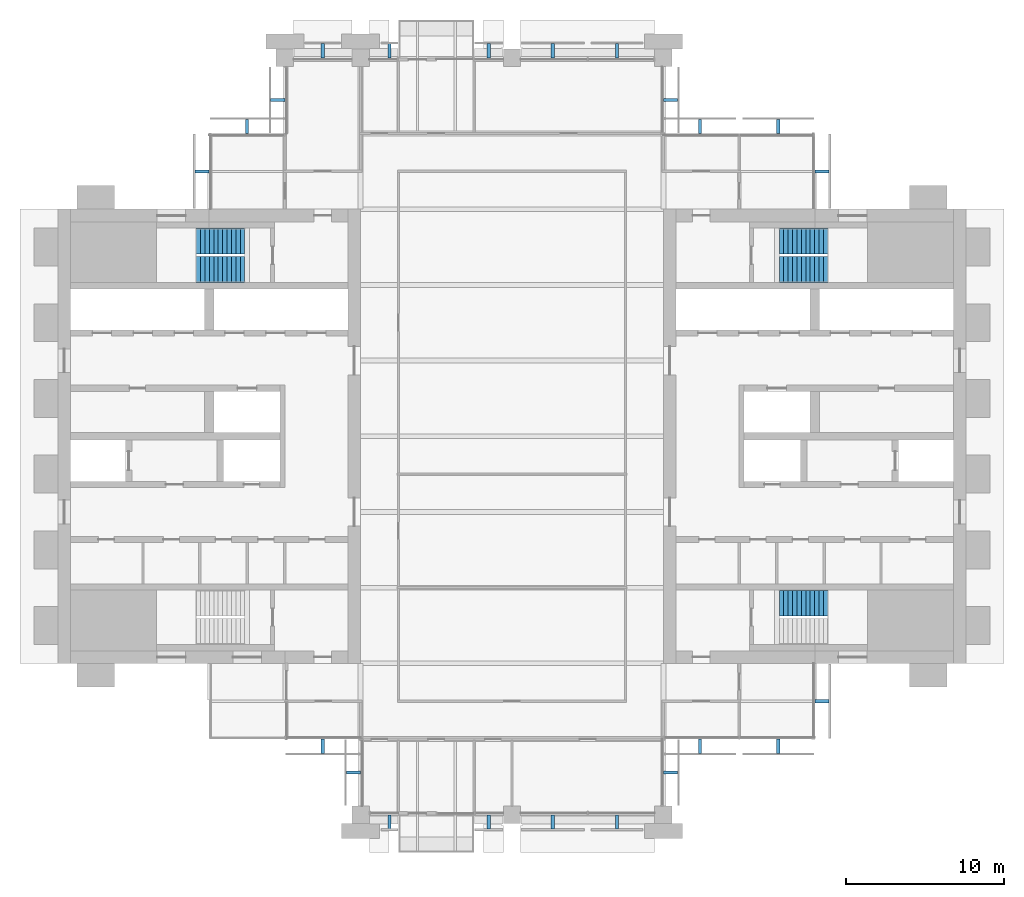
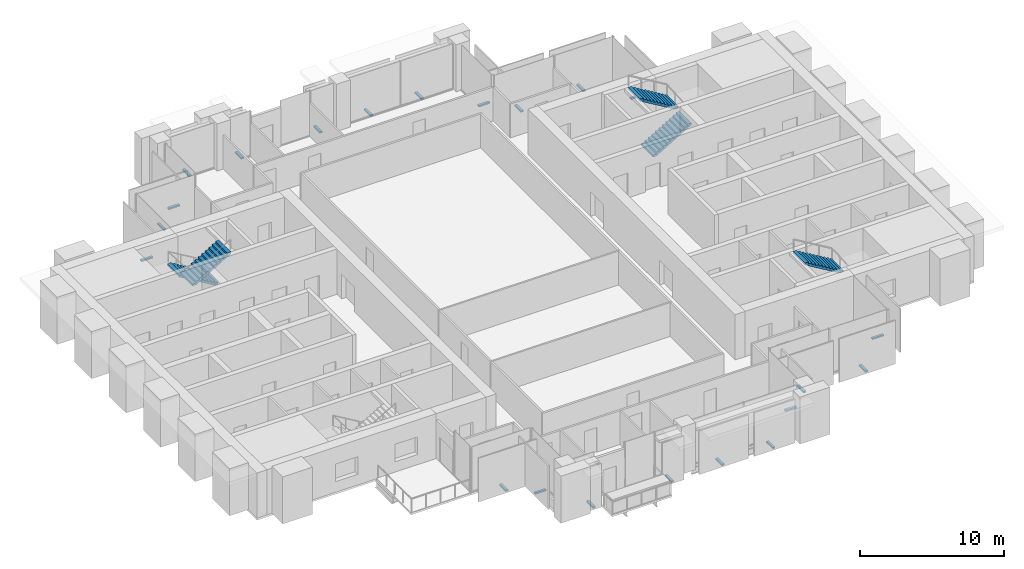
# One storey, part 12 of 14: 22 discrete accessories, 5 stair flights, 3 elements without a shape of their own.
"""IFC4 building model written with IfcOpenShell, lengths in metres."""

import ifcopenshell
import ifcopenshell.guid

model = None  # the IFC model being written
_history = None  # IfcOwnerHistory: only IFC2X3 demands one
_inside = {}  # id of a spatial element -> (the spatial element, [elements in it])
_under = {}  # id of a project, library or spatial element -> (it, [spatial elements below it])
_declared = {}  # id of a project -> (the project, [libraries it declares])
_typed = {}  # id of a type object -> (the type object, [elements of that type])
_made_of = {}  # id of a material, layer set ... -> (it, [elements and type objects made of it])


def new_model(schema):
    """Start an empty IFC model of exactly this schema.

    Asked for "IFC4X3", IfcOpenShell would pick the latest addendum, in which some entities
    have other attributes; the version numbers below select the first issue.
    IFC2X3 requires an IfcOwnerHistory on every rooted entity: one is made here for all.
    """
    global model, _history
    if schema == "IFC4X3":
        model = ifcopenshell.file(schema_version=(4, 3, 0, 0))
    else:
        model = ifcopenshell.file(schema=schema)
    _inside.clear()
    _under.clear()
    _declared.clear()
    _typed.clear()
    _made_of.clear()
    _history = None
    if model.schema == "IFC2X3":
        org = make("IfcOrganization", Name="unknown")
        user = make(
            "IfcPersonAndOrganization",
            ThePerson=make("IfcPerson", FamilyName="unknown"),
            TheOrganization=org,
        )
        app = make(
            "IfcApplication",
            ApplicationDeveloper=org,
            Version="unknown",
            ApplicationFullName="unknown",
            ApplicationIdentifier="unknown",
        )
        _history = make(
            "IfcOwnerHistory",
            OwningUser=user,
            OwningApplication=app,
            ChangeAction="ADDED",
            CreationDate=0,
        )
    return model


def make(cls, **values):
    """One entity of the class cls with the attributes given. An attribute that is None is left unset."""
    return model.create_entity(
        cls, **{name: value for name, value in values.items() if value is not None}
    )


def rooted(cls, **values):
    """An entity with a GlobalId (a new one), such as an element, a storey or a relation."""
    return make(cls, GlobalId=ifcopenshell.guid.new(), OwnerHistory=_history, **values)


def si_unit(unit_type, name, prefix=None):
    """IfcSIUnit, for example si_unit("LENGTHUNIT", "METRE", prefix="MILLI")."""
    return make("IfcSIUnit", UnitType=unit_type, Prefix=prefix, Name=name)


def assignment(units):
    """IfcUnitAssignment: the units of a project."""
    return None if units is None else make("IfcUnitAssignment", Units=units)


def point(xyz):
    """IfcCartesianPoint."""
    return None if xyz is None else make("IfcCartesianPoint", Coordinates=xyz)


def direction(xyz):
    """IfcDirection."""
    return None if xyz is None else make("IfcDirection", DirectionRatios=xyz)


def frame(location, z_axis=None, x_axis=None):
    """IfcAxis2Placement3D, a coordinate frame: its origin and axes. An axis left out is left unset."""
    return make(
        "IfcAxis2Placement3D",
        Location=point(location),
        Axis=direction(z_axis),
        RefDirection=direction(x_axis),
    )


def frame_2d(location, x_axis=None):
    """IfcAxis2Placement2D, a coordinate frame in the plane: its origin and x axis."""
    return make(
        "IfcAxis2Placement2D", Location=point(location), RefDirection=direction(x_axis)
    )


def origin():
    """The frame at (0, 0, 0) with its axes left unset."""
    return frame((0.0, 0.0, 0.0))


def origin_2d():
    """The frame at (0, 0) in the plane with its x axis left unset."""
    return frame_2d((0.0, 0.0))


def place(relative_to, where):
    """IfcLocalPlacement: puts the frame where relative to a parent placement (None: the world)."""
    return make(
        "IfcLocalPlacement", PlacementRelTo=relative_to, RelativePlacement=where
    )


def context(
    kind, dimensions, precision=None, world=None, true_north=None, identifier=None
):
    """IfcGeometricRepresentationContext, for example the 3D "Model" context."""
    return make(
        "IfcGeometricRepresentationContext",
        ContextIdentifier=identifier,
        ContextType=kind,
        CoordinateSpaceDimension=dimensions,
        Precision=precision,
        WorldCoordinateSystem=world,
        TrueNorth=true_north,
    )


def subcontext(parent, identifier, kind, view, scale=None):
    """IfcGeometricRepresentationSubContext, for example "Body" below "Model"."""
    return make(
        "IfcGeometricRepresentationSubContext",
        ContextIdentifier=identifier,
        ContextType=kind,
        ParentContext=parent,
        TargetScale=scale,
        TargetView=view,
    )


def project(units=None, contexts=None):
    """IfcProject with its units and contexts."""
    return rooted(
        "IfcProject",
        Name="project",
        RepresentationContexts=contexts,
        UnitsInContext=assignment(units),
    )


def spatial(cls, under=None, at=None, **own):
    """A site, building, storey or space (cls), placed at a placement, below another one or the project."""
    s = rooted(cls, ObjectPlacement=at, **own)
    if under is not None:
        _under.setdefault(under.id(), (under, []))[1].append(s)
    return s


def polyline(points):
    """IfcPolyline through the points."""
    return make("IfcPolyline", Points=[point(p) for p in points])


def profile(cls, at=None, kind="AREA", **sizes):
    """A parametric profile (cls). Its sizes go by their IFC names, for example OverallWidth=200.0."""
    return make(cls, ProfileType=kind, Position=at, **sizes)


def rectangle(**sizes):
    """IfcRectangleProfileDef."""
    return profile("IfcRectangleProfileDef", **sizes)


def outline(outer, holes=None, kind="AREA"):
    """IfcArbitraryClosedProfileDef: a profile drawn as a closed curve; with holes, ...WithVoids."""
    if holes is None:
        return make("IfcArbitraryClosedProfileDef", ProfileType=kind, OuterCurve=outer)
    return make(
        "IfcArbitraryProfileDefWithVoids",
        ProfileType=kind,
        OuterCurve=outer,
        InnerCurves=holes,
    )


def extrude(swept, where, along, depth):
    """IfcExtrudedAreaSolid: the profile swept, set in the frame where, extruded along a direction by depth."""
    return make(
        "IfcExtrudedAreaSolid",
        SweptArea=swept,
        Position=where,
        ExtrudedDirection=direction(along),
        Depth=depth,
    )


def shape(context_of_items, identifier, shape_type, items):
    """IfcShapeRepresentation: the items that make up one representation, for example the "Body"."""
    return make(
        "IfcShapeRepresentation",
        ContextOfItems=context_of_items,
        RepresentationIdentifier=identifier,
        RepresentationType=shape_type,
        Items=items,
    )


def material(Name=None, Category=None):
    """IfcMaterial."""
    return make("IfcMaterial", Name=Name, Category=Category)


def made_of(thing, what):
    """Note that an element or type object is made of a material, layer set ...; save() writes the relation."""
    if what is not None:
        _made_of.setdefault(what.id(), (what, []))[1].append(thing)
    return thing


def type_object(cls, material=None, **own):
    """A type object (cls), such as IfcWallType, which elements share."""
    return made_of(rooted(cls, **own), material)


def element(
    cls,
    number,
    at=None,
    inside=None,
    cuts=None,
    type_object=None,
    material=None,
    context=None,
    identifier="Body",
    shape_type=None,
    held_by="IfcProductDefinitionShape",
    body=None,
    shapes=None,
    **own,
):
    """One element of the class cls, such as IfcWall. Its Tag is "e" and its number.

    at: its placement. inside: the storey or other place that contains it. cuts: it is an
    opening in that element (IfcRelVoidsElement). A single representation is given by context,
    identifier, shape_type and body (its items); several are given by shapes. held_by: the class
    of the entity that holds the representations. save() writes the other relations.
    """
    e = rooted(cls, Tag="e%d" % number, ObjectPlacement=at, **own)
    if body is not None:
        shapes = [shape(context, identifier, shape_type, body)]
    if shapes is not None:
        e.Representation = make(held_by, Representations=shapes)
    if inside is not None:
        _inside.setdefault(inside.id(), (inside, []))[1].append(e)
    if cuts is not None:
        rooted(
            "IfcRelVoidsElement", RelatingBuildingElement=cuts, RelatedOpeningElement=e
        )
    if type_object is not None:
        _typed.setdefault(type_object.id(), (type_object, []))[1].append(e)
    return made_of(e, material)


def aggregate(whole, parts):
    """IfcRelAggregates: a whole, such as a stair, and the parts it consists of."""
    return rooted("IfcRelAggregates", RelatingObject=whole, RelatedObjects=parts)


def save(model, path):
    """Write the relations noted so far, then the file.

    IfcRelAggregates (storeys below a building ...), IfcRelContainedInSpatialStructure (elements
    in a storey), IfcRelDefinesByType, IfcRelAssociatesMaterial and IfcRelDeclares: one each for
    every whole, place, type object, material and project.
    """
    for whole, parts in _under.values():
        aggregate(whole, parts)
    for where, things in _inside.values():
        rooted(
            "IfcRelContainedInSpatialStructure",
            RelatedElements=things,
            RelatingStructure=where,
        )
    for kind, things in _typed.values():
        rooted("IfcRelDefinesByType", RelatedObjects=things, RelatingType=kind)
    for what, things in _made_of.values():
        rooted("IfcRelAssociatesMaterial", RelatedObjects=things, RelatingMaterial=what)
    for by, libraries in _declared.values():
        rooted("IfcRelDeclares", RelatingContext=by, RelatedDefinitions=libraries)
    model.write(path)


model = new_model("IFC4")

# Units and contexts
model_context = context("Model", 3, precision=1e-05, world=origin(), true_north=direction((0.0, 1.0)))
body_context = subcontext(model_context, "Body", "Model", "MODEL_VIEW")
ifc_project = project(units=[si_unit("LENGTHUNIT", "METRE"), si_unit("AREAUNIT", "SQUARE_METRE"), si_unit("VOLUMEUNIT", "CUBIC_METRE"), si_unit("PLANEANGLEUNIT", "RADIAN"), si_unit("MASSUNIT", "GRAM", prefix="KILO")], contexts=[model_context])

# Site, building, storey
site_placement = place(None, origin())
site = spatial("IfcSite", under=ifc_project, at=site_placement, CompositionType="ELEMENT")
building_placement = place(site_placement, origin())
building = spatial("IfcBuilding", under=site, at=building_placement, Name="Baori Bourse Tower", CompositionType="ELEMENT")
storey_placement = place(building_placement, frame((0.0, 0.0, 209.199951171875)))
storey = spatial("IfcBuildingStorey", under=building, at=storey_placement, Name="L45", CompositionType="ELEMENT", Elevation=209.199951171875)

# Stair, stair flights
ifc_material_1 = material(Name="Concrete f'c 50 MPa", Category="concrete")
stair_type = type_object("IfcStairType", Name="Core stair", PredefinedType="HALF_TURN_STAIR", material=ifc_material_1)
stair_1_placement = place(storey_placement, origin())
stair_1 = element("IfcStair", 1, at=stair_1_placement, inside=storey, type_object=stair_type, Name="L45 Stair WB", PredefinedType="HALF_TURN_STAIR")
ifc_material_2 = material(Name="Concrete f'c 50 MPa", Category="concrete")
stair_flight_type = type_object("IfcStairFlightType", Name="Core stair flight", PredefinedType="STRAIGHT", material=ifc_material_2)
stair_flight_1_placement = place(storey_placement, frame((11.85009765625, 36.375, 0.0), z_axis=(0.0, 0.0, 1.0), x_axis=(-1.0, 0.0, 0.0)))
stair_flight_1 = element("IfcStairFlight", 2, at=stair_flight_1_placement, type_object=stair_flight_type, Name="ST2 flight 1", NumberOfRisers=12, NumberOfTreads=11, PredefinedType="STRAIGHT", RiserHeight=0.166666667, TreadLength=0.28, context=body_context, shape_type="SweptSolid", body=[
    extrude(outline(polyline([(0.0, 0.0), (0.0, 0.166748046875), (0.280029296875, 0.166748046875), (0.280029296875, 0.333251953125), (0.56005859375, 0.333251953125), (0.56005859375, 0.5), (0.840087890625, 0.5), (0.840087890625, 0.666748046875), (1.1201171875, 0.666748046875), (1.1201171875, 0.833251953125), (1.39990234375, 0.833251953125), (1.39990234375, 1.0), (1.679931640625, 1.0), (1.679931640625, 1.166748046875), (1.9599609375, 1.166748046875), (1.9599609375, 1.333251953125), (2.239990234375, 1.333251953125), (2.239990234375, 1.5), (2.52001953125, 1.5), (2.52001953125, 1.666748046875), (2.800048828125, 1.666748046875), (2.800048828125, 1.833251953125), (3.080078125, 1.833251953125), (3.080078125, 2.0), (3.080078125, 1.658935546875), (0.29296875, 0.0), (0.0, 0.0)])), frame((0.0, 0.824951171875, 0.0), z_axis=(0.0, -1.0, 0.0), x_axis=(1.0, 0.0, 0.0)), (0.0, 0.0, 1.0), 1.64990234375),
])
stair_flight_2_placement = place(storey_placement, frame((8.77001953125, 34.574951171875, 2.0), z_axis=(0.0, 0.0, 1.0), x_axis=(1.0, 0.0, 0.0)))
stair_flight_2 = element("IfcStairFlight", 3, at=stair_flight_2_placement, type_object=stair_flight_type, Name="ST2 flight 2", NumberOfRisers=12, NumberOfTreads=11, PredefinedType="STRAIGHT", RiserHeight=0.166666667, TreadLength=0.28, context=body_context, shape_type="SweptSolid", body=[
    extrude(outline(polyline([(0.0, 0.0), (0.0, 0.166748046875), (0.280029296875, 0.166748046875), (0.280029296875, 0.333251953125), (0.56005859375, 0.333251953125), (0.56005859375, 0.5), (0.840087890625, 0.5), (0.840087890625, 0.666748046875), (1.1201171875, 0.666748046875), (1.1201171875, 0.833251953125), (1.39990234375, 0.833251953125), (1.39990234375, 1.0), (1.679931640625, 1.0), (1.679931640625, 1.166748046875), (1.9599609375, 1.166748046875), (1.9599609375, 1.333251953125), (2.239990234375, 1.333251953125), (2.239990234375, 1.5), (2.52001953125, 1.5), (2.52001953125, 1.666748046875), (2.800048828125, 1.666748046875), (2.800048828125, 1.833251953125), (3.080078125, 1.833251953125), (3.080078125, 2.0), (3.080078125, 1.658935546875), (0.29296875, 0.0), (0.0, 0.0)])), frame((0.0, 0.824951171875, 0.0), z_axis=(0.0, -1.0, 0.0), x_axis=(1.0, 0.0, 0.0)), (0.0, 0.0, 1.0), 1.64990234375),
])
aggregate(stair_1, [stair_flight_1, stair_flight_2])

# Stair, stair flight
stair_2_placement = place(storey_placement, origin())
stair_2 = element("IfcStair", 4, at=stair_2_placement, inside=storey, type_object=stair_type, Name="L45 Stair EA", PredefinedType="HALF_TURN_STAIR")
stair_flight_3_placement = place(storey_placement, frame((48.830078125, 13.425048828125, 2.0), z_axis=(0.0, 0.0, 1.0), x_axis=(-1.0, 0.0, 0.0)))
stair_flight_3 = element("IfcStairFlight", 5, at=stair_flight_3_placement, type_object=stair_flight_type, Name="ST3 flight 2", NumberOfRisers=12, NumberOfTreads=11, PredefinedType="STRAIGHT", RiserHeight=0.166666667, TreadLength=0.28, context=body_context, shape_type="SweptSolid", body=[
    extrude(outline(polyline([(0.0, 0.0), (0.0, 0.166748046875), (0.280029296875, 0.166748046875), (0.280029296875, 0.333251953125), (0.56005859375, 0.333251953125), (0.56005859375, 0.5), (0.840087890625, 0.5), (0.840087890625, 0.666748046875), (1.1201171875, 0.666748046875), (1.1201171875, 0.833251953125), (1.39990234375, 0.833251953125), (1.39990234375, 1.0), (1.679931640625, 1.0), (1.679931640625, 1.166748046875), (1.9599609375, 1.166748046875), (1.9599609375, 1.333251953125), (2.239990234375, 1.333251953125), (2.239990234375, 1.5), (2.52001953125, 1.5), (2.52001953125, 1.666748046875), (2.800048828125, 1.666748046875), (2.800048828125, 1.833251953125), (3.080078125, 1.833251953125), (3.080078125, 2.0), (3.080078125, 1.658935546875), (0.29296875, 0.0), (0.0, 0.0)])), frame((0.0, 0.824951171875, 0.0), z_axis=(0.0, -1.0, 0.0), x_axis=(1.0, 0.0, 0.0)), (0.0, 0.0, 1.0), 1.64990234375),
])
aggregate(stair_2, [stair_flight_3])

# Stair, stair flights
stair_3_placement = place(storey_placement, origin())
stair_3 = element("IfcStair", 6, at=stair_3_placement, inside=storey, type_object=stair_type, Name="L45 Stair EB", PredefinedType="HALF_TURN_STAIR")
stair_flight_4_placement = place(storey_placement, frame((45.75, 34.574951171875, 0.0), z_axis=(0.0, 0.0, 1.0), x_axis=(1.0, 0.0, 0.0)))
stair_flight_4 = element("IfcStairFlight", 7, at=stair_flight_4_placement, type_object=stair_flight_type, Name="ST4 flight 1", NumberOfRisers=12, NumberOfTreads=11, PredefinedType="STRAIGHT", RiserHeight=0.166666667, TreadLength=0.28, context=body_context, shape_type="SweptSolid", body=[
    extrude(outline(polyline([(0.0, 0.0), (0.0, 0.166748046875), (0.280029296875, 0.166748046875), (0.280029296875, 0.333251953125), (0.56005859375, 0.333251953125), (0.56005859375, 0.5), (0.840087890625, 0.5), (0.840087890625, 0.666748046875), (1.1201171875, 0.666748046875), (1.1201171875, 0.833251953125), (1.39990234375, 0.833251953125), (1.39990234375, 1.0), (1.679931640625, 1.0), (1.679931640625, 1.166748046875), (1.9599609375, 1.166748046875), (1.9599609375, 1.333251953125), (2.239990234375, 1.333251953125), (2.239990234375, 1.5), (2.52001953125, 1.5), (2.52001953125, 1.666748046875), (2.800048828125, 1.666748046875), (2.800048828125, 1.833251953125), (3.080078125, 1.833251953125), (3.080078125, 2.0), (3.080078125, 1.658935546875), (0.29296875, 0.0), (0.0, 0.0)])), frame((0.0, 0.824951171875, 0.0), z_axis=(0.0, -1.0, 0.0), x_axis=(1.0, 0.0, 0.0)), (0.0, 0.0, 1.0), 1.64990234375),
])
stair_flight_5_placement = place(storey_placement, frame((48.830078125, 36.375, 2.0), z_axis=(0.0, 0.0, 1.0), x_axis=(-1.0, 0.0, 0.0)))
stair_flight_5 = element("IfcStairFlight", 8, at=stair_flight_5_placement, type_object=stair_flight_type, Name="ST4 flight 2", NumberOfRisers=12, NumberOfTreads=11, PredefinedType="STRAIGHT", RiserHeight=0.166666667, TreadLength=0.28, context=body_context, shape_type="SweptSolid", body=[
    extrude(outline(polyline([(0.0, 0.0), (0.0, 0.166748046875), (0.280029296875, 0.166748046875), (0.280029296875, 0.333251953125), (0.56005859375, 0.333251953125), (0.56005859375, 0.5), (0.840087890625, 0.5), (0.840087890625, 0.666748046875), (1.1201171875, 0.666748046875), (1.1201171875, 0.833251953125), (1.39990234375, 0.833251953125), (1.39990234375, 1.0), (1.679931640625, 1.0), (1.679931640625, 1.166748046875), (1.9599609375, 1.166748046875), (1.9599609375, 1.333251953125), (2.239990234375, 1.333251953125), (2.239990234375, 1.5), (2.52001953125, 1.5), (2.52001953125, 1.666748046875), (2.800048828125, 1.666748046875), (2.800048828125, 1.833251953125), (3.080078125, 1.833251953125), (3.080078125, 2.0), (3.080078125, 1.658935546875), (0.29296875, 0.0), (0.0, 0.0)])), frame((0.0, 0.824951171875, 0.0), z_axis=(0.0, -1.0, 0.0), x_axis=(1.0, 0.0, 0.0)), (0.0, 0.0, 1.0), 1.64990234375),
])
aggregate(stair_3, [stair_flight_4, stair_flight_5])

# Discrete accessories
ifc_material_3 = material(Name="Pale anodised aluminium", Category="aluminium")
discrete_accessory_type = type_object("IfcDiscreteAccessoryType", Name="OS2 Outer skin bracket", PredefinedType="BRACKET", material=ifc_material_3)
for number, where, z_axis, x_axis, name in (
    (9, (48.449951171875, 40.800048828125, -0.143798828125), (0.0, 0.0, 1.0), (0.0, 1.0, 0.0), "Outer skin bracket L45 1"),
    (10, (45.6875, 43.64990234375, -0.143798828125), (0.0, 0.0, 1.0), (-1.0, 0.0, 0.0), "Outer skin bracket L45 2"),
    (11, (40.71240234375, 43.64990234375, -0.143798828125), (0.0, 0.0, 1.0), (-1.0, 0.0, 0.0), "Outer skin bracket L45 3"),
    (12, (38.85009765625, 45.324951171875, -0.143798828125), (0.0, 0.0, 1.0), (0.0, 1.0, 0.0), "Outer skin bracket L45 4"),
    (13, (35.46240234375, 48.449951171875, -0.143798828125), (0.0, 0.0, 1.0), (-1.0, 0.0, 0.0), "Outer skin bracket L45 5"),
    (14, (31.387451171875, 48.449951171875, -0.143798828125), (0.0, 0.0, 1.0), (-1.0, 0.0, 0.0), "Outer skin bracket L45 6"),
    (15, (27.324951171875, 48.449951171875, -0.143798828125), (0.0, 0.0, 1.0), (-1.0, 0.0, 0.0), "Outer skin bracket L45 7"),
    (16, (21.02490234375, 48.449951171875, -0.143798828125), (0.0, 0.0, 1.0), (-1.0, 0.0, 0.0), "Outer skin bracket L45 8"),
    (17, (16.800048828125, 48.449951171875, -0.143798828125), (0.0, 0.0, 1.0), (-1.0, 0.0, 0.0), "Outer skin bracket L45 9"),
    (18, (13.949951171875, 45.324951171875, -0.143798828125), (0.0, 0.0, 1.0), (0.0, -1.0, 0.0), "Outer skin bracket L45 10"),
    (19, (12.0, 43.64990234375, -0.143798828125), (0.0, 0.0, 1.0), (-1.0, 0.0, 0.0), "Outer skin bracket L45 11"),
    (20, (9.14990234375, 40.800048828125, -0.143798828125), (0.0, 0.0, 1.0), (0.0, -1.0, 0.0), "Outer skin bracket L45 12"),
    (21, (16.800048828125, 4.35009765625, -0.143798828125), (0.0, 0.0, 1.0), (1.0, 0.0, 0.0), "Outer skin bracket L45 13"),
    (22, (18.75, 2.675048828125, -0.143798828125), (0.0, 0.0, 1.0), (0.0, -1.0, 0.0), "Outer skin bracket L45 14"),
    (23, (21.02490234375, -0.449951171875, -0.143798828125), (0.0, 0.0, 1.0), (1.0, 0.0, 0.0), "Outer skin bracket L45 15"),
    (24, (27.324951171875, -0.449951171875, -0.143798828125), (0.0, 0.0, 1.0), (1.0, 0.0, 0.0), "Outer skin bracket L45 16"),
    (25, (31.387451171875, -0.449951171875, -0.143798828125), (0.0, 0.0, 1.0), (1.0, 0.0, 0.0), "Outer skin bracket L45 17"),
    (26, (35.46240234375, -0.449951171875, -0.143798828125), (0.0, 0.0, 1.0), (1.0, 0.0, 0.0), "Outer skin bracket L45 18"),
    (27, (38.85009765625, 2.675048828125, -0.143798828125), (0.0, 0.0, 1.0), (0.0, 1.0, 0.0), "Outer skin bracket L45 19"),
    (28, (40.71240234375, 4.35009765625, -0.143798828125), (0.0, 0.0, 1.0), (1.0, 0.0, 0.0), "Outer skin bracket L45 20"),
    (29, (45.6875, 4.35009765625, -0.143798828125), (0.0, 0.0, 1.0), (1.0, 0.0, 0.0), "Outer skin bracket L45 21"),
    (30, (48.449951171875, 7.199951171875, -0.143798828125), (0.0, 0.0, 1.0), (0.0, 1.0, 0.0), "Outer skin bracket L45 22"),
):
    element("IfcDiscreteAccessory", number, at=place(storey_placement, frame(where, z_axis=z_axis, x_axis=x_axis)), inside=storey, type_object=discrete_accessory_type, Name=name, PredefinedType="BRACKET", context=body_context, shape_type="SweptSolid", body=[
        extrude(rectangle(XDim=0.199951171875, YDim=0.89990234375, at=origin_2d()), origin(), (0.0, 0.0, 1.0), 0.1279296875),
    ])

save(model, "model.ifc")
